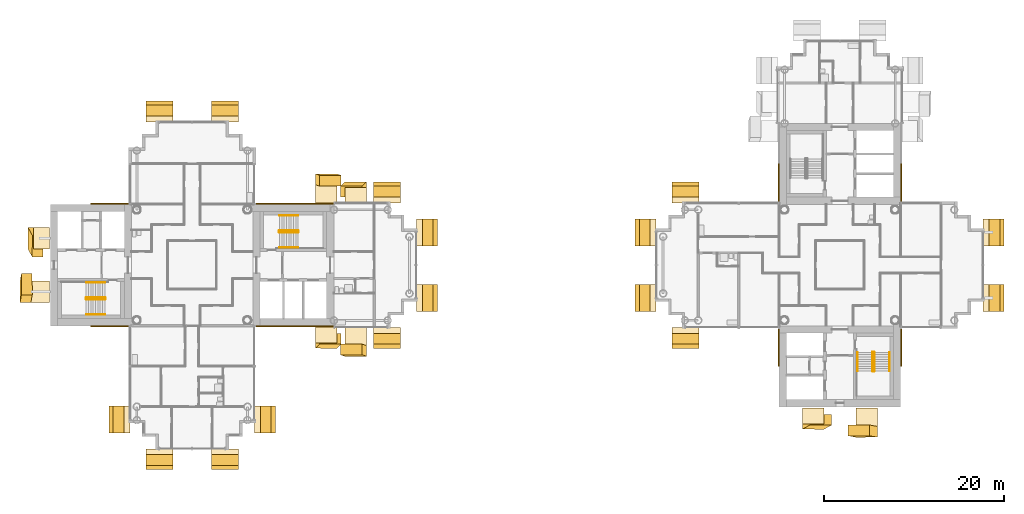
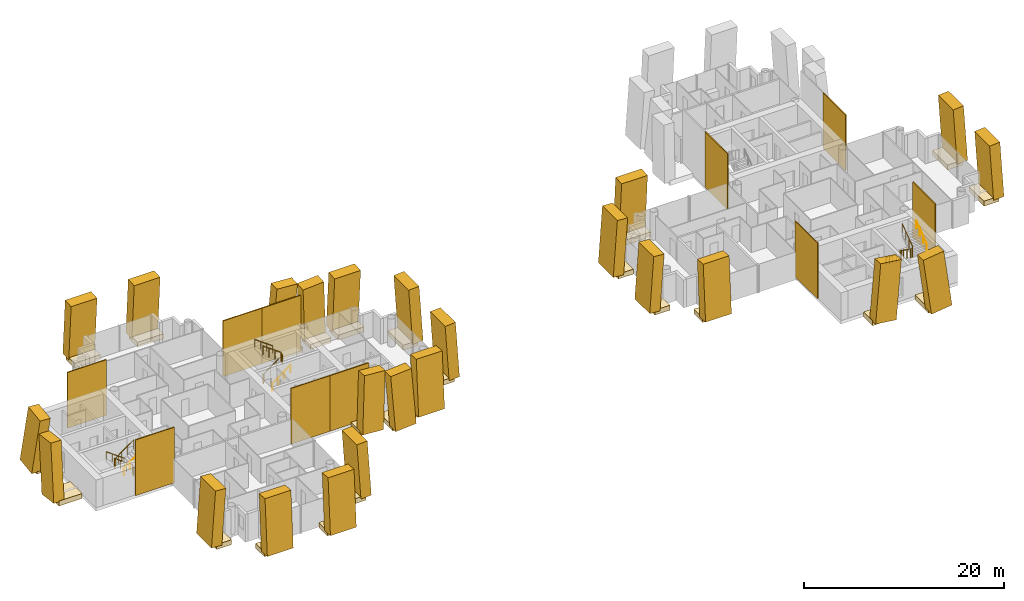
# One storey, part 17 of 19: 58 coverings, 9 railings.
"""IFC4 building model written with IfcOpenShell, lengths in metres."""

from ifc_helpers import new_model, si_unit, direction, frame, origin, origin_2d, place, context, subcontext, project, spatial, rectangle, circle, extrude, material, layer, layer_set, material_profile, profile_set, type_object, element, save


model = new_model("IFC4")

# Units and contexts
model_context = context("Model", 3, precision=1e-05, world=origin(), true_north=direction((0.0, 1.0)))
body_context = subcontext(model_context, "Body", "Model", "MODEL_VIEW")
ifc_project = project(units=[si_unit("LENGTHUNIT", "METRE"), si_unit("AREAUNIT", "SQUARE_METRE"), si_unit("VOLUMEUNIT", "CUBIC_METRE"), si_unit("PLANEANGLEUNIT", "RADIAN"), si_unit("MASSUNIT", "GRAM", prefix="KILO")], contexts=[model_context])

# Site, building, storey
site_placement = place(None, origin())
site = spatial("IfcSite", under=ifc_project, at=site_placement, CompositionType="ELEMENT")
building_placement = place(site_placement, origin())
building = spatial("IfcBuilding", under=site, at=building_placement, Name="Ipe Terrace Towers", CompositionType="ELEMENT")
storey_placement = place(building_placement, frame((0.0, 0.0, 137.10009765625)))
storey = spatial("IfcBuildingStorey", under=building, at=storey_placement, Name="L37", CompositionType="ELEMENT", Elevation=137.10009765625)

# Coverings
ifc_material_1 = material(Name="Concrete C50/60 precast, buff finish", Category="concrete")
ifc_layer = layer(ifc_material_1, 0.1201171875)
ifc_layer_set = layer_set([ifc_layer], Name="STONE CORE CLADDING 120")
covering_type_1 = type_object("IfcCoveringType", Name="STONE CORE CLADDING 120", PredefinedType="CLADDING", material=ifc_layer_set)
for number, where, z_axis, x_axis, name in (
    (1, (-45.0, -6.81005859375, 0.0), (0.0, 0.0, 1.0), (1.0, 0.0, 0.0), "stone core cladding"),
    (2, (-45.0, 6.81005859375, 0.0), (0.0, 0.0, 1.0), (-1.0, 0.0, 0.0), "stone core cladding"),
    (3, (-27.0, -6.81005859375, 0.0), (0.0, 0.0, 1.0), (1.0, 0.0, 0.0), "stone core cladding"),
):
    element("IfcCovering", number, at=place(storey_placement, frame(where, z_axis=z_axis, x_axis=x_axis)), inside=storey, type_object=covering_type_1, Name=name, PredefinedType="CLADDING", context=body_context, shape_type="SweptSolid", body=[
        extrude(rectangle(XDim=4.5, YDim=0.1201171875, at=origin_2d()), origin(), (0.0, 0.0, 1.0), 6.800048828125),
    ])
covering_1_placement = place(storey_placement, frame((-22.4990234375, -6.81005859375, 0.0), z_axis=(0.0, 0.0, 1.0), x_axis=(1.0, 0.0, 0.0)))
element("IfcCovering", 4, at=covering_1_placement, inside=storey, type_object=covering_type_1, Name="stone core cladding", PredefinedType="CLADDING", context=body_context, shape_type="SweptSolid", body=[
    extrude(rectangle(XDim=4.5009765625, YDim=0.1201171875, at=origin_2d()), origin(), (0.0, 0.0, 1.0), 6.800048828125),
])
covering_2_placement = place(storey_placement, frame((-27.0, 6.81005859375, 0.0), z_axis=(0.0, 0.0, 1.0), x_axis=(-1.0, 0.0, 0.0)))
element("IfcCovering", 5, at=covering_2_placement, inside=storey, type_object=covering_type_1, Name="stone core cladding", PredefinedType="CLADDING", context=body_context, shape_type="SweptSolid", body=[
    extrude(rectangle(XDim=4.5, YDim=0.1201171875, at=origin_2d()), origin(), (0.0, 0.0, 1.0), 6.800048828125),
])
covering_3_placement = place(storey_placement, frame((-22.4990234375, 6.81005859375, 0.0), z_axis=(0.0, 0.0, 1.0), x_axis=(-1.0, 0.0, 0.0)))
element("IfcCovering", 6, at=covering_3_placement, inside=storey, type_object=covering_type_1, Name="stone core cladding", PredefinedType="CLADDING", context=body_context, shape_type="SweptSolid", body=[
    extrude(rectangle(XDim=4.5009765625, YDim=0.1201171875, at=origin_2d()), origin(), (0.0, 0.0, 1.0), 6.800048828125),
])
for number, where, z_axis, x_axis, name in (
    (7, (29.18994140625, -9.0, 0.0), (0.0, 0.0, 1.0), (0.0, -1.0, 0.0), "stone core cladding"),
    (8, (29.18994140625, 9.0, 0.0), (0.0, 0.0, 1.0), (0.0, -1.0, 0.0), "stone core cladding"),
    (9, (42.81005859375, -9.0, 0.0), (0.0, 0.0, 1.0), (0.0, 1.0, 0.0), "stone core cladding"),
    (10, (42.81005859375, 9.0, 0.0), (0.0, 0.0, 1.0), (0.0, 1.0, 0.0), "stone core cladding"),
):
    element("IfcCovering", number, at=place(storey_placement, frame(where, z_axis=z_axis, x_axis=x_axis)), inside=storey, type_object=covering_type_1, Name=name, PredefinedType="CLADDING", context=body_context, shape_type="SweptSolid", body=[
        extrude(rectangle(XDim=4.5, YDim=0.1201171875, at=origin_2d()), origin(), (0.0, 0.0, 1.0), 6.800048828125),
    ])
ifc_material_2 = material(Name="Concrete C50/60 precast, buff finish", Category="concrete")
ifc_material_profile_1 = material_profile(ifc_material_2, rectangle(XDim=2.39990234375, YDim=1.199951171875, at=origin_2d()), Name="STONE FIN 2400 x 1200")
ifc_profile_set_1 = profile_set([ifc_material_profile_1], Name="Concrete C50/60 precast, buff finish")
covering_type_2 = type_object("IfcCoveringType", Name="STONE FIN 2400 x 1200", PredefinedType="USERDEFINED", material=ifc_profile_set_1)
covering_4_placement = place(storey_placement, frame((-17.83203125, -9.537109375, 0.0), z_axis=(-0.069644991599, 0.023203061469, 0.997301956823), x_axis=(0.997571839591, 0.001619910419, 0.069626149865)))
element("IfcCovering", 11, at=covering_4_placement, inside=storey, type_object=covering_type_2, Name="stone fin", ObjectType="FIN", PredefinedType="USERDEFINED", context=body_context, shape_type="SweptSolid", body=[
    extrude(rectangle(XDim=2.39990234375, YDim=1.199951171875, at=origin_2d()), origin(), (0.0, 0.0, 1.0), 6.818115234375),
])
for number, where, z_axis, x_axis, name in (
    (12, (-17.83203125, 8.64794921875, 0.0), (-0.069499435698, -0.068641859114, 0.995217626258), (-0.997581990835, 0.004782133715, -0.0693347154), "stone fin"),
    (13, (-21.117919921875, -8.64794921875, 0.0), (0.069499435698, 0.068641859114, 0.995217626258), (0.997581990835, -0.004782133715, -0.0693347154), "stone fin"),
):
    element("IfcCovering", number, at=place(storey_placement, frame(where, z_axis=z_axis, x_axis=x_axis)), inside=storey, type_object=covering_type_2, Name=name, ObjectType="FIN", PredefinedType="USERDEFINED", context=body_context, shape_type="SweptSolid", body=[
        extrude(rectangle(XDim=2.39990234375, YDim=1.199951171875, at=origin_2d()), origin(), (0.0, 0.0, 1.0), 6.83251953125),
    ])
covering_5_placement = place(storey_placement, frame((-21.117919921875, 9.537109375, 0.0), z_axis=(0.069644991599, -0.023203061469, 0.997301956823), x_axis=(-0.997571839591, -0.001619910419, 0.069626149865)))
element("IfcCovering", 14, at=covering_5_placement, inside=storey, type_object=covering_type_2, Name="stone fin", ObjectType="FIN", PredefinedType="USERDEFINED", context=body_context, shape_type="SweptSolid", body=[
    extrude(rectangle(XDim=2.39990234375, YDim=1.199951171875, at=origin_2d()), origin(), (0.0, 0.0, 1.0), 6.818115234375),
])
covering_6_placement = place(storey_placement, frame((-54.537109375, -2.970947265625, 0.0), z_axis=(0.023076283143, 0.125281426077, 0.991852836582), x_axis=(0.002913988252, -0.992121244748, 0.12524753248)))
element("IfcCovering", 15, at=covering_6_placement, inside=storey, type_object=covering_type_2, Name="stone fin", ObjectType="FIN", PredefinedType="USERDEFINED", context=body_context, shape_type="SweptSolid", body=[
    extrude(rectangle(XDim=2.39990234375, YDim=1.199951171875, at=origin_2d()), origin(), (0.0, 0.0, 1.0), 6.855712890625),
])
for number, where, z_axis, x_axis, name in (
    (16, (-53.64794921875, 2.970947265625, 0.0), (0.068268362758, -0.125022436326, 0.989802415163), (-0.008602573569, -0.99215391468, -0.124726121213), "stone fin"),
    (17, (33.029052734375, -17.64794921875, 0.0), (0.125022436326, 0.068268362758, 0.989802415163), (0.99215391468, -0.008602573569, -0.124726121213), "stone fin"),
):
    element("IfcCovering", number, at=place(storey_placement, frame(where, z_axis=z_axis, x_axis=x_axis)), inside=storey, type_object=covering_type_2, Name=name, ObjectType="FIN", PredefinedType="USERDEFINED", context=body_context, shape_type="SweptSolid", body=[
        extrude(rectangle(XDim=2.39990234375, YDim=1.199951171875, at=origin_2d()), origin(), (0.0, 0.0, 1.0), 6.869873046875),
    ])
covering_7_placement = place(storey_placement, frame((38.970947265625, -18.537109375, 0.0), z_axis=(-0.125281426077, 0.023076283143, 0.991852836582), x_axis=(0.992121244748, 0.002913988252, 0.12524753248)))
element("IfcCovering", 18, at=covering_7_placement, inside=storey, type_object=covering_type_2, Name="stone fin", ObjectType="FIN", PredefinedType="USERDEFINED", context=body_context, shape_type="SweptSolid", body=[
    extrude(rectangle(XDim=2.39990234375, YDim=1.199951171875, at=origin_2d()), origin(), (0.0, 0.0, 1.0), 6.855712890625),
])
ifc_material_3 = material(Name="Concrete C50/60 precast, buff finish", Category="concrete")
ifc_material_profile_2 = material_profile(ifc_material_3, rectangle(XDim=3.0, YDim=1.199951171875, at=origin_2d()), Name="STONE FIN CORNER 3000 x 1200")
ifc_profile_set_2 = profile_set([ifc_material_profile_2], Name="Concrete C50/60 precast, buff finish")
covering_type_3 = type_object("IfcCoveringType", Name="STONE FIN CORNER 3000 x 1200", PredefinedType="USERDEFINED", material=ifc_profile_set_2)
for number, where, z_axis, x_axis, name in (
    (19, (-9.35205078125, -3.64990234375, 0.0), (-0.068808238064, 0.0, 0.997629904511), (0.0, 1.0, 0.0), "stone fin"),
    (20, (-9.35205078125, 3.64990234375, 0.0), (-0.068808238064, 0.0, 0.997629904511), (0.0, 1.0, 0.0), "stone fin"),
    (21, (-14.35009765625, -8.64794921875, 0.0), (0.0, 0.068808238064, 0.997629904511), (1.0, 0.0, 0.0), "stone fin"),
    (22, (-14.35009765625, 8.64794921875, 0.0), (0.0, -0.068808238064, 0.997629904511), (-1.0, 0.0, 0.0), "stone fin"),
    (23, (-27.35205078125, -17.14990234375, 0.0), (-0.068808238064, 0.0, 0.997629904511), (0.0, 1.0, 0.0), "stone fin"),
    (24, (-32.35009765625, -22.14794921875, 0.0), (0.0, 0.068808238064, 0.997629904511), (1.0, 0.0, 0.0), "stone fin"),
    (25, (-32.35009765625, 17.64794921875, 0.0), (0.0, -0.068808238064, 0.997629904511), (-1.0, 0.0, 0.0), "stone fin"),
    (26, (-39.64990234375, -22.14794921875, 0.0), (0.0, 0.068808238064, 0.997629904511), (1.0, 0.0, 0.0), "stone fin"),
    (27, (-39.64990234375, 17.64794921875, 0.0), (0.0, -0.068808238064, 0.997629904511), (-1.0, 0.0, 0.0), "stone fin"),
    (28, (-44.64794921875, -17.14990234375, 0.0), (0.068808238064, 0.0, 0.997629904511), (0.0, -1.0, 0.0), "stone fin"),
    (29, (13.85205078125, -3.64990234375, 0.0), (0.068808238064, 0.0, 0.997629904511), (0.0, -1.0, 0.0), "stone fin"),
    (30, (13.85205078125, 3.64990234375, 0.0), (0.068808238064, 0.0, 0.997629904511), (0.0, -1.0, 0.0), "stone fin"),
    (31, (18.85009765625, -8.64794921875, 0.0), (0.0, 0.068808238064, 0.997629904511), (1.0, 0.0, 0.0), "stone fin"),
    (32, (18.85009765625, 8.64794921875, 0.0), (0.0, -0.068808238064, 0.997629904511), (-1.0, 0.0, 0.0), "stone fin"),
    (33, (53.64794921875, -3.64990234375, 0.0), (-0.068808238064, 0.0, 0.997629904511), (0.0, 1.0, 0.0), "stone fin"),
    (34, (53.64794921875, 3.64990234375, 0.0), (-0.068808238064, 0.0, 0.997629904511), (0.0, 1.0, 0.0), "stone fin"),
):
    element("IfcCovering", number, at=place(storey_placement, frame(where, z_axis=z_axis, x_axis=x_axis)), inside=storey, type_object=covering_type_3, Name=name, ObjectType="FIN", PredefinedType="USERDEFINED", context=body_context, shape_type="SweptSolid", body=[
        extrude(rectangle(XDim=3.0, YDim=1.199951171875, at=origin_2d()), origin(), (0.0, 0.0, 1.0), 6.81591796875),
    ])
ifc_material_4 = material(Name="Concrete C50/60 precast, buff finish", Category="concrete")
covering_type_4 = type_object("IfcCoveringType", Name="STONE FIN SHELF 2400 x 600", PredefinedType="CLADDING", material=ifc_material_4)
covering_8_placement = place(storey_placement, frame((-17.83203125, -8.22607421875, -0.35009765625), z_axis=(0.0, 0.0, 1.0), x_axis=(1.0, 0.0, 0.0)))
element("IfcCovering", 35, at=covering_8_placement, inside=storey, type_object=covering_type_4, Name="stone fin shelf", PredefinedType="CLADDING", context=body_context, shape_type="SweptSolid", body=[
    extrude(rectangle(XDim=2.39990234375, YDim=2.62109375, at=origin_2d()), origin(), (0.0, 0.0, 1.0), 0.60009765625),
])
covering_9_placement = place(storey_placement, frame((-17.83203125, 7.781982421875, -0.35009765625), z_axis=(0.0, 0.0, 1.0), x_axis=(-1.0, 0.0, 0.0)))
element("IfcCovering", 36, at=covering_9_placement, inside=storey, type_object=covering_type_4, Name="stone fin shelf", PredefinedType="CLADDING", context=body_context, shape_type="SweptSolid", body=[
    extrude(rectangle(XDim=2.39990234375, YDim=1.73193359375, at=origin_2d()), origin(), (0.0, 0.0, 1.0), 0.60009765625),
])
covering_10_placement = place(storey_placement, frame((-21.117919921875, -7.75390625, -0.35009765625), z_axis=(0.0, 0.0, 1.0), x_axis=(1.0, 0.0, 0.0)))
element("IfcCovering", 37, at=covering_10_placement, inside=storey, type_object=covering_type_4, Name="stone fin shelf", PredefinedType="CLADDING", context=body_context, shape_type="SweptSolid", body=[
    extrude(rectangle(XDim=2.39990234375, YDim=1.7880859375, at=origin_2d()), origin(), (0.0, 0.0, 1.0), 0.60009765625),
])
for number, where, z_axis, x_axis, name in (
    (38, (-21.117919921875, 8.198974609375, -0.35009765625), (0.0, 0.0, 1.0), (-1.0, 0.0, 0.0), "stone fin shelf"),
    (39, (-53.198974609375, -2.970947265625, -0.35009765625), (0.0, 0.0, 1.0), (0.0, -1.0, 0.0), "stone fin shelf"),
):
    element("IfcCovering", number, at=place(storey_placement, frame(where, z_axis=z_axis, x_axis=x_axis)), inside=storey, type_object=covering_type_4, Name=name, PredefinedType="CLADDING", context=body_context, shape_type="SweptSolid", body=[
        extrude(rectangle(XDim=2.39990234375, YDim=2.677001953125, at=origin_2d()), origin(), (0.0, 0.0, 1.0), 0.60009765625),
    ])
for number, where, z_axis, x_axis, name in (
    (40, (-52.75390625, 2.970947265625, -0.35009765625), (0.0, 0.0, 1.0), (0.0, -1.0, 0.0), "stone fin shelf"),
    (41, (33.029052734375, -16.75390625, -0.35009765625), (0.0, 0.0, 1.0), (1.0, 0.0, 0.0), "stone fin shelf"),
):
    element("IfcCovering", number, at=place(storey_placement, frame(where, z_axis=z_axis, x_axis=x_axis)), inside=storey, type_object=covering_type_4, Name=name, PredefinedType="CLADDING", context=body_context, shape_type="SweptSolid", body=[
        extrude(rectangle(XDim=2.39990234375, YDim=1.7880859375, at=origin_2d()), origin(), (0.0, 0.0, 1.0), 0.60009765625),
    ])
covering_11_placement = place(storey_placement, frame((38.970947265625, -17.197998046875, -0.35009765625), z_axis=(0.0, 0.0, 1.0), x_axis=(1.0, 0.0, 0.0)))
element("IfcCovering", 42, at=covering_11_placement, inside=storey, type_object=covering_type_4, Name="stone fin shelf", PredefinedType="CLADDING", context=body_context, shape_type="SweptSolid", body=[
    extrude(rectangle(XDim=2.39990234375, YDim=2.677001953125, at=origin_2d()), origin(), (0.0, 0.0, 1.0), 0.60009765625),
])
ifc_material_5 = material(Name="Concrete C50/60 precast, buff finish", Category="concrete")
covering_type_5 = type_object("IfcCoveringType", Name="STONE FIN SHELF 3000 x 600", PredefinedType="CLADDING", material=ifc_material_5)
for number, where, z_axis, x_axis, name in (
    (43, (-10.218017578125, -3.64990234375, -0.35009765625), (0.0, 0.0, 1.0), (0.0, 1.0, 0.0), "stone fin shelf"),
    (44, (-10.218017578125, 3.64990234375, -0.35009765625), (0.0, 0.0, 1.0), (0.0, 1.0, 0.0), "stone fin shelf"),
    (45, (-14.35009765625, -7.781982421875, -0.35009765625), (0.0, 0.0, 1.0), (1.0, 0.0, 0.0), "stone fin shelf"),
    (46, (-14.35009765625, 7.781982421875, -0.35009765625), (0.0, 0.0, 1.0), (-1.0, 0.0, 0.0), "stone fin shelf"),
    (47, (-28.218017578125, -17.14990234375, -0.35009765625), (0.0, 0.0, 1.0), (0.0, 1.0, 0.0), "stone fin shelf"),
    (48, (-32.35009765625, -21.281982421875, -0.35009765625), (0.0, 0.0, 1.0), (1.0, 0.0, 0.0), "stone fin shelf"),
    (49, (-32.35009765625, 16.781982421875, -0.35009765625), (0.0, 0.0, 1.0), (-1.0, 0.0, 0.0), "stone fin shelf"),
    (50, (-39.64990234375, -21.281982421875, -0.35009765625), (0.0, 0.0, 1.0), (1.0, 0.0, 0.0), "stone fin shelf"),
    (51, (-39.64990234375, 16.781982421875, -0.35009765625), (0.0, 0.0, 1.0), (-1.0, 0.0, 0.0), "stone fin shelf"),
    (52, (-43.781982421875, -17.14990234375, -0.35009765625), (0.0, 0.0, 1.0), (0.0, -1.0, 0.0), "stone fin shelf"),
    (53, (14.718017578125, -3.64990234375, -0.35009765625), (0.0, 0.0, 1.0), (0.0, -1.0, 0.0), "stone fin shelf"),
    (54, (14.718017578125, 3.64990234375, -0.35009765625), (0.0, 0.0, 1.0), (0.0, -1.0, 0.0), "stone fin shelf"),
    (55, (18.85009765625, -7.781982421875, -0.35009765625), (0.0, 0.0, 1.0), (1.0, 0.0, 0.0), "stone fin shelf"),
    (56, (18.85009765625, 7.781982421875, -0.35009765625), (0.0, 0.0, 1.0), (-1.0, 0.0, 0.0), "stone fin shelf"),
    (57, (52.781982421875, -3.64990234375, -0.35009765625), (0.0, 0.0, 1.0), (0.0, 1.0, 0.0), "stone fin shelf"),
    (58, (52.781982421875, 3.64990234375, -0.35009765625), (0.0, 0.0, 1.0), (0.0, 1.0, 0.0), "stone fin shelf"),
):
    element("IfcCovering", number, at=place(storey_placement, frame(where, z_axis=z_axis, x_axis=x_axis)), inside=storey, type_object=covering_type_5, Name=name, PredefinedType="CLADDING", context=body_context, shape_type="SweptSolid", body=[
        extrude(rectangle(XDim=3.0, YDim=1.73193359375, at=origin_2d()), origin(), (0.0, 0.0, 1.0), 0.60009765625),
    ])

# Railings
ifc_material_6 = material(Name="Steel S355", Category="steel")
railing_type_1 = type_object("IfcRailingType", Name="Stair guard 1100", PredefinedType="GUARDRAIL", material=ifc_material_6)
railing_1_placement = place(storey_placement, frame((-26.35009765625, 3.800048828125, 0.0)))
element("IfcRailing", 59, at=railing_1_placement, inside=storey, type_object=railing_type_1, Name="L37 T1-ST1 stair guard 1", PredefinedType="GUARDRAIL", context=body_context, shape_type="SweptSolid", body=[
    extrude(circle(Radius=0.02392578125, at=origin_2d()), frame((0.0, 0.0, 1.076171875), z_axis=(0.0, -1.0, 0.0), x_axis=(1.0, 0.0, 0.0)), (0.0, 0.0, 1.0), 0.150146484375),
    extrude(circle(Radius=0.02392578125, at=origin_2d()), frame((0.0, -0.150146484375, 1.076171875), z_axis=(0.248385422981, -0.247173786771, 0.936594790069), x_axis=(0.705375805398, 0.708833529934, 0.0)), (0.0, 0.0, 1.0), 0.201416015625),
    extrude(circle(Radius=0.02392578125, at=origin_2d()), frame((0.050048828125, -0.199951171875, 1.2646484375), z_axis=(0.809023421508, 0.0, 0.587776406001), x_axis=(0.0, 1.0, 0.0)), (0.0, 0.0, 1.0), 2.571044921875),
    extrude(circle(Radius=0.02392578125, at=origin_2d()), frame((2.130126953125, -0.199951171875, 2.77587890625), z_axis=(0.708833529934, 0.705375805398, 0.0), x_axis=(-0.705375805398, 0.708833529934, 0.0)), (0.0, 0.0, 1.0), 0.070556640625),
    extrude(circle(Radius=0.02392578125, at=origin_2d()), frame((2.18017578125, -0.150146484375, 2.77587890625), z_axis=(0.0, 1.0, 0.0), x_axis=(-1.0, 0.0, 0.0)), (0.0, 0.0, 1.0), 0.150146484375),
    extrude(circle(Radius=0.02392578125, at=origin_2d()), frame((2.18017578125, 0.0, 2.77587890625), z_axis=(-0.248310886586, 0.248310886586, 0.936313733321), x_axis=(-0.707106781187, -0.707106781187, 0.0)), (0.0, 0.0, 1.0), 0.20166015625),
    extrude(circle(Radius=0.02392578125, at=origin_2d()), frame((2.130126953125, 0.050048828125, 2.96484375), z_axis=(-0.809023421508, 0.0, 0.587776406001), x_axis=(0.0, -1.0, 0.0)), (0.0, 0.0, 1.0), 2.571044921875),
    extrude(circle(Radius=0.02099609375, at=origin_2d()), origin(), (0.0, 0.0, 1.0), 1.052001953125),
    extrude(circle(Radius=0.02099609375, at=origin_2d()), frame((0.0, -0.150146484375, 0.0)), (0.0, 0.0, 1.0), 1.052001953125),
    extrude(circle(Radius=0.02099609375, at=origin_2d()), frame((0.050048828125, -0.199951171875, 0.188720703125)), (0.0, 0.0, 1.0), 1.052001953125),
    extrude(circle(Radius=0.02099609375, at=origin_2d()), frame((0.743408203125, -0.199951171875, 0.6923828125)), (0.0, 0.0, 1.0), 1.052001953125),
    extrude(circle(Radius=0.02099609375, at=origin_2d()), frame((1.436767578125, -0.199951171875, 1.1962890625)), (0.0, 0.0, 1.0), 1.052001953125),
    extrude(circle(Radius=0.02099609375, at=origin_2d()), frame((2.130126953125, -0.199951171875, 1.699951171875)), (0.0, 0.0, 1.0), 1.052001953125),
    extrude(circle(Radius=0.02099609375, at=origin_2d()), frame((2.18017578125, -0.150146484375, 1.699951171875)), (0.0, 0.0, 1.0), 1.052001953125),
    extrude(circle(Radius=0.02099609375, at=origin_2d()), frame((2.18017578125, 0.0, 1.699951171875)), (0.0, 0.0, 1.0), 1.052001953125),
    extrude(circle(Radius=0.02099609375, at=origin_2d()), frame((2.130126953125, 0.050048828125, 1.888671875)), (0.0, 0.0, 1.0), 1.052001953125),
    extrude(circle(Radius=0.02099609375, at=origin_2d()), frame((1.436767578125, 0.050048828125, 2.392333984375)), (0.0, 0.0, 1.0), 1.052001953125),
    extrude(circle(Radius=0.02099609375, at=origin_2d()), frame((0.743408203125, 0.050048828125, 2.896240234375)), (0.0, 0.0, 1.0), 1.052001953125),
    extrude(circle(Radius=0.02099609375, at=origin_2d()), frame((0.050048828125, 0.050048828125, 3.39990234375)), (0.0, 0.0, 1.0), 1.052001953125),
])
railing_2_placement = place(storey_placement, frame((-45.64990234375, -3.800048828125, 0.0)))
element("IfcRailing", 60, at=railing_2_placement, inside=storey, type_object=railing_type_1, Name="L37 T1-ST2 stair guard 1", PredefinedType="GUARDRAIL", context=body_context, shape_type="SweptSolid", body=[
    extrude(circle(Radius=0.02392578125, at=origin_2d()), frame((0.0, 0.0, 1.076171875), z_axis=(0.0, 1.0, 0.0), x_axis=(-1.0, 0.0, 0.0)), (0.0, 0.0, 1.0), 0.150146484375),
    extrude(circle(Radius=0.02392578125, at=origin_2d()), frame((0.0, 0.150146484375, 1.076171875), z_axis=(-0.248385422981, 0.247173786771, 0.936594790069), x_axis=(-0.705375805398, -0.708833529934, 0.0)), (0.0, 0.0, 1.0), 0.201416015625),
    extrude(circle(Radius=0.02392578125, at=origin_2d()), frame((-0.050048828125, 0.199951171875, 1.2646484375), z_axis=(-0.809023421508, 0.0, 0.587776406001), x_axis=(0.0, -1.0, 0.0)), (0.0, 0.0, 1.0), 2.571044921875),
    extrude(circle(Radius=0.02392578125, at=origin_2d()), frame((-2.130126953125, 0.199951171875, 2.77587890625), z_axis=(-0.708833529934, -0.705375805398, 0.0), x_axis=(0.705375805398, -0.708833529934, 0.0)), (0.0, 0.0, 1.0), 0.070556640625),
    extrude(circle(Radius=0.02392578125, at=origin_2d()), frame((-2.18017578125, 0.150146484375, 2.77587890625), z_axis=(0.0, -1.0, 0.0), x_axis=(1.0, 0.0, 0.0)), (0.0, 0.0, 1.0), 0.150146484375),
    extrude(circle(Radius=0.02392578125, at=origin_2d()), frame((-2.18017578125, 0.0, 2.77587890625), z_axis=(0.248310886586, -0.248310886586, 0.936313733321), x_axis=(0.707106781187, 0.707106781187, 0.0)), (0.0, 0.0, 1.0), 0.20166015625),
    extrude(circle(Radius=0.02392578125, at=origin_2d()), frame((-2.130126953125, -0.050048828125, 2.96484375), z_axis=(0.809023421508, 0.0, 0.587776406001), x_axis=(0.0, 1.0, 0.0)), (0.0, 0.0, 1.0), 2.571044921875),
    extrude(circle(Radius=0.02099609375, at=origin_2d()), origin(), (0.0, 0.0, 1.0), 1.052001953125),
    extrude(circle(Radius=0.02099609375, at=origin_2d()), frame((0.0, 0.150146484375, 0.0)), (0.0, 0.0, 1.0), 1.052001953125),
    extrude(circle(Radius=0.02099609375, at=origin_2d()), frame((-0.050048828125, 0.199951171875, 0.188720703125)), (0.0, 0.0, 1.0), 1.052001953125),
    extrude(circle(Radius=0.02099609375, at=origin_2d()), frame((-0.743408203125, 0.199951171875, 0.6923828125)), (0.0, 0.0, 1.0), 1.052001953125),
    extrude(circle(Radius=0.02099609375, at=origin_2d()), frame((-1.436767578125, 0.199951171875, 1.1962890625)), (0.0, 0.0, 1.0), 1.052001953125),
    extrude(circle(Radius=0.02099609375, at=origin_2d()), frame((-2.130126953125, 0.199951171875, 1.699951171875)), (0.0, 0.0, 1.0), 1.052001953125),
    extrude(circle(Radius=0.02099609375, at=origin_2d()), frame((-2.18017578125, 0.150146484375, 1.699951171875)), (0.0, 0.0, 1.0), 1.052001953125),
    extrude(circle(Radius=0.02099609375, at=origin_2d()), frame((-2.18017578125, 0.0, 1.699951171875)), (0.0, 0.0, 1.0), 1.052001953125),
    extrude(circle(Radius=0.02099609375, at=origin_2d()), frame((-2.130126953125, -0.050048828125, 1.888671875)), (0.0, 0.0, 1.0), 1.052001953125),
    extrude(circle(Radius=0.02099609375, at=origin_2d()), frame((-1.436767578125, -0.050048828125, 2.392333984375)), (0.0, 0.0, 1.0), 1.052001953125),
    extrude(circle(Radius=0.02099609375, at=origin_2d()), frame((-0.743408203125, -0.050048828125, 2.896240234375)), (0.0, 0.0, 1.0), 1.052001953125),
    extrude(circle(Radius=0.02099609375, at=origin_2d()), frame((-0.050048828125, -0.050048828125, 3.39990234375)), (0.0, 0.0, 1.0), 1.052001953125),
])
railing_3_placement = place(storey_placement, frame((39.800048828125, -9.64990234375, 0.0)))
element("IfcRailing", 61, at=railing_3_placement, inside=storey, type_object=railing_type_1, Name="L37 T2-ST2 stair guard 1", PredefinedType="GUARDRAIL", context=body_context, shape_type="SweptSolid", body=[
    extrude(circle(Radius=0.02392578125, at=origin_2d()), frame((0.0, 0.0, 1.076171875), z_axis=(-1.0, 0.0, 0.0), x_axis=(0.0, -1.0, 0.0)), (0.0, 0.0, 1.0), 0.150146484375),
    extrude(circle(Radius=0.02392578125, at=origin_2d()), frame((-0.150146484375, 0.0, 1.076171875), z_axis=(-0.247173786771, -0.248385422981, 0.936594790069), x_axis=(0.708833529934, -0.705375805398, 0.0)), (0.0, 0.0, 1.0), 0.201416015625),
    extrude(circle(Radius=0.02392578125, at=origin_2d()), frame((-0.199951171875, -0.050048828125, 1.2646484375), z_axis=(0.0, -0.809023421508, 0.587776406001), x_axis=(1.0, 0.0, 0.0)), (0.0, 0.0, 1.0), 2.571044921875),
    extrude(circle(Radius=0.02392578125, at=origin_2d()), frame((-0.199951171875, -2.130126953125, 2.77587890625), z_axis=(0.705375805398, -0.708833529934, 0.0), x_axis=(0.708833529934, 0.705375805398, 0.0)), (0.0, 0.0, 1.0), 0.070556640625),
    extrude(circle(Radius=0.02392578125, at=origin_2d()), frame((-0.150146484375, -2.18017578125, 2.77587890625), z_axis=(1.0, 0.0, 0.0), x_axis=(0.0, 1.0, 0.0)), (0.0, 0.0, 1.0), 0.150146484375),
    extrude(circle(Radius=0.02392578125, at=origin_2d()), frame((0.0, -2.18017578125, 2.77587890625), z_axis=(0.248310886586, 0.248310886586, 0.936313733321), x_axis=(-0.707106781187, 0.707106781187, 0.0)), (0.0, 0.0, 1.0), 0.20166015625),
    extrude(circle(Radius=0.02392578125, at=origin_2d()), frame((0.050048828125, -2.130126953125, 2.96484375), z_axis=(0.0, 0.809023421508, 0.587776406001), x_axis=(-1.0, 0.0, 0.0)), (0.0, 0.0, 1.0), 2.571044921875),
    extrude(circle(Radius=0.02099609375, at=origin_2d()), origin(), (0.0, 0.0, 1.0), 1.052001953125),
    extrude(circle(Radius=0.02099609375, at=origin_2d()), frame((-0.150146484375, 0.0, 0.0)), (0.0, 0.0, 1.0), 1.052001953125),
    extrude(circle(Radius=0.02099609375, at=origin_2d()), frame((-0.199951171875, -0.050048828125, 0.188720703125)), (0.0, 0.0, 1.0), 1.052001953125),
    extrude(circle(Radius=0.02099609375, at=origin_2d()), frame((-0.199951171875, -0.743408203125, 0.6923828125)), (0.0, 0.0, 1.0), 1.052001953125),
    extrude(circle(Radius=0.02099609375, at=origin_2d()), frame((-0.199951171875, -1.436767578125, 1.1962890625)), (0.0, 0.0, 1.0), 1.052001953125),
    extrude(circle(Radius=0.02099609375, at=origin_2d()), frame((-0.199951171875, -2.130126953125, 1.699951171875)), (0.0, 0.0, 1.0), 1.052001953125),
    extrude(circle(Radius=0.02099609375, at=origin_2d()), frame((-0.150146484375, -2.18017578125, 1.699951171875)), (0.0, 0.0, 1.0), 1.052001953125),
    extrude(circle(Radius=0.02099609375, at=origin_2d()), frame((0.0, -2.18017578125, 1.699951171875)), (0.0, 0.0, 1.0), 1.052001953125),
    extrude(circle(Radius=0.02099609375, at=origin_2d()), frame((0.050048828125, -2.130126953125, 1.888671875)), (0.0, 0.0, 1.0), 1.052001953125),
    extrude(circle(Radius=0.02099609375, at=origin_2d()), frame((0.050048828125, -1.436767578125, 2.392333984375)), (0.0, 0.0, 1.0), 1.052001953125),
    extrude(circle(Radius=0.02099609375, at=origin_2d()), frame((0.050048828125, -0.743408203125, 2.896240234375)), (0.0, 0.0, 1.0), 1.052001953125),
    extrude(circle(Radius=0.02099609375, at=origin_2d()), frame((0.050048828125, -0.050048828125, 3.39990234375)), (0.0, 0.0, 1.0), 1.052001953125),
])
ifc_material_7 = material(Name="Stainless steel grade 304", Category="steel")
railing_type_2 = type_object("IfcRailingType", Name="Stair handrail 900", PredefinedType="HANDRAIL", material=ifc_material_7)
railing_4_placement = place(storey_placement, frame((-26.300048828125, 1.949951171875, 0.188720703125)))
element("IfcRailing", 62, at=railing_4_placement, inside=storey, type_object=railing_type_2, Name="L37 T1-ST1 stair handrail 1", PredefinedType="HANDRAIL", context=body_context, shape_type="SweptSolid", body=[
    extrude(circle(Radius=0.02392578125, at=origin_2d()), frame((0.0, 0.0, 0.8759765625), z_axis=(0.809023421508, 0.0, 0.587776406001), x_axis=(0.0, 1.0, 0.0)), (0.0, 0.0, 1.0), 2.571044921875),
    extrude(circle(Radius=0.02099609375, at=origin_2d()), origin(), (0.0, 0.0, 1.0), 0.851806640625),
    extrude(circle(Radius=0.02099609375, at=origin_2d()), frame((0.693359375, 0.0, 0.503662109375)), (0.0, 0.0, 1.0), 0.851806640625),
    extrude(circle(Radius=0.02099609375, at=origin_2d()), frame((1.38671875, 0.0, 1.007568359375)), (0.0, 0.0, 1.0), 0.851806640625),
    extrude(circle(Radius=0.02099609375, at=origin_2d()), frame((2.080078125, 0.0, 1.51123046875)), (0.0, 0.0, 1.0), 0.851806640625),
])
for number, where, name in (
    (63, (-24.219970703125, 5.5, 1.888671875), "L37 T1-ST1 stair handrail 2"),
    (64, (-45.699951171875, -1.949951171875, 0.188720703125), "L37 T1-ST2 stair handrail 1"),
):
    element("IfcRailing", number, at=place(storey_placement, frame(where)), inside=storey, type_object=railing_type_2, Name=name, PredefinedType="HANDRAIL", context=body_context, shape_type="SweptSolid", body=[
        extrude(circle(Radius=0.02392578125, at=origin_2d()), frame((0.0, 0.0, 0.8759765625), z_axis=(-0.809023421508, 0.0, 0.587776406001), x_axis=(0.0, -1.0, 0.0)), (0.0, 0.0, 1.0), 2.571044921875),
        extrude(circle(Radius=0.02099609375, at=origin_2d()), origin(), (0.0, 0.0, 1.0), 0.851806640625),
        extrude(circle(Radius=0.02099609375, at=origin_2d()), frame((-0.693359375, 0.0, 0.503662109375)), (0.0, 0.0, 1.0), 0.851806640625),
        extrude(circle(Radius=0.02099609375, at=origin_2d()), frame((-1.38671875, 0.0, 1.007568359375)), (0.0, 0.0, 1.0), 0.851806640625),
        extrude(circle(Radius=0.02099609375, at=origin_2d()), frame((-2.080078125, 0.0, 1.51123046875)), (0.0, 0.0, 1.0), 0.851806640625),
    ])
railing_5_placement = place(storey_placement, frame((-47.780029296875, -5.5, 1.888671875)))
element("IfcRailing", 65, at=railing_5_placement, inside=storey, type_object=railing_type_2, Name="L37 T1-ST2 stair handrail 2", PredefinedType="HANDRAIL", context=body_context, shape_type="SweptSolid", body=[
    extrude(circle(Radius=0.02392578125, at=origin_2d()), frame((0.0, 0.0, 0.8759765625), z_axis=(0.809023421508, 0.0, 0.587776406001), x_axis=(0.0, 1.0, 0.0)), (0.0, 0.0, 1.0), 2.571044921875),
    extrude(circle(Radius=0.02099609375, at=origin_2d()), origin(), (0.0, 0.0, 1.0), 0.851806640625),
    extrude(circle(Radius=0.02099609375, at=origin_2d()), frame((0.693359375, 0.0, 0.503662109375)), (0.0, 0.0, 1.0), 0.851806640625),
    extrude(circle(Radius=0.02099609375, at=origin_2d()), frame((1.38671875, 0.0, 1.007568359375)), (0.0, 0.0, 1.0), 0.851806640625),
    extrude(circle(Radius=0.02099609375, at=origin_2d()), frame((2.080078125, 0.0, 1.51123046875)), (0.0, 0.0, 1.0), 0.851806640625),
])
railing_6_placement = place(storey_placement, frame((37.949951171875, -9.699951171875, 0.188720703125)))
element("IfcRailing", 66, at=railing_6_placement, inside=storey, type_object=railing_type_2, Name="L37 T2-ST2 stair handrail 1", PredefinedType="HANDRAIL", context=body_context, shape_type="SweptSolid", body=[
    extrude(circle(Radius=0.02392578125, at=origin_2d()), frame((0.0, 0.0, 0.8759765625), z_axis=(0.0, -0.809023421508, 0.587776406001), x_axis=(1.0, 0.0, 0.0)), (0.0, 0.0, 1.0), 2.571044921875),
    extrude(circle(Radius=0.02099609375, at=origin_2d()), origin(), (0.0, 0.0, 1.0), 0.851806640625),
    extrude(circle(Radius=0.02099609375, at=origin_2d()), frame((0.0, -0.693359375, 0.503662109375)), (0.0, 0.0, 1.0), 0.851806640625),
    extrude(circle(Radius=0.02099609375, at=origin_2d()), frame((0.0, -1.38671875, 1.007568359375)), (0.0, 0.0, 1.0), 0.851806640625),
    extrude(circle(Radius=0.02099609375, at=origin_2d()), frame((0.0, -2.080078125, 1.51123046875)), (0.0, 0.0, 1.0), 0.851806640625),
])
railing_7_placement = place(storey_placement, frame((41.5, -11.780029296875, 1.888671875)))
element("IfcRailing", 67, at=railing_7_placement, inside=storey, type_object=railing_type_2, Name="L37 T2-ST2 stair handrail 2", PredefinedType="HANDRAIL", context=body_context, shape_type="SweptSolid", body=[
    extrude(circle(Radius=0.02392578125, at=origin_2d()), frame((0.0, 0.0, 0.8759765625), z_axis=(0.0, 0.809023421508, 0.587776406001), x_axis=(-1.0, 0.0, 0.0)), (0.0, 0.0, 1.0), 2.571044921875),
    extrude(circle(Radius=0.02099609375, at=origin_2d()), origin(), (0.0, 0.0, 1.0), 0.851806640625),
    extrude(circle(Radius=0.02099609375, at=origin_2d()), frame((0.0, 0.693359375, 0.503662109375)), (0.0, 0.0, 1.0), 0.851806640625),
    extrude(circle(Radius=0.02099609375, at=origin_2d()), frame((0.0, 1.38671875, 1.007568359375)), (0.0, 0.0, 1.0), 0.851806640625),
    extrude(circle(Radius=0.02099609375, at=origin_2d()), frame((0.0, 2.080078125, 1.51123046875)), (0.0, 0.0, 1.0), 0.851806640625),
])

save(model, "model.ifc")
